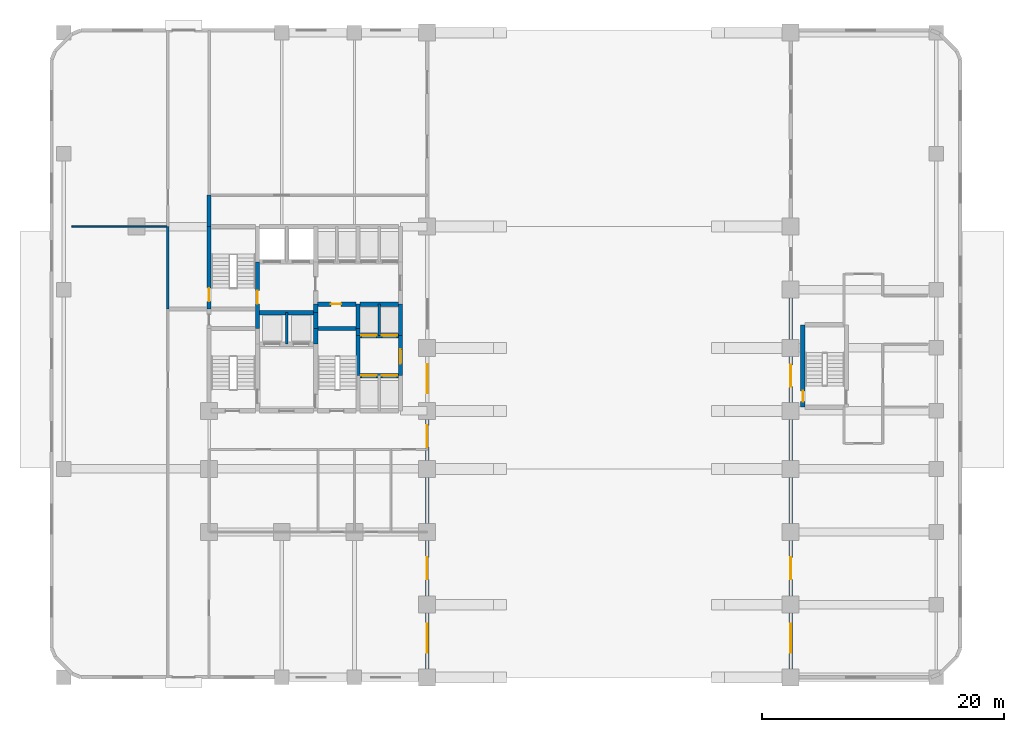
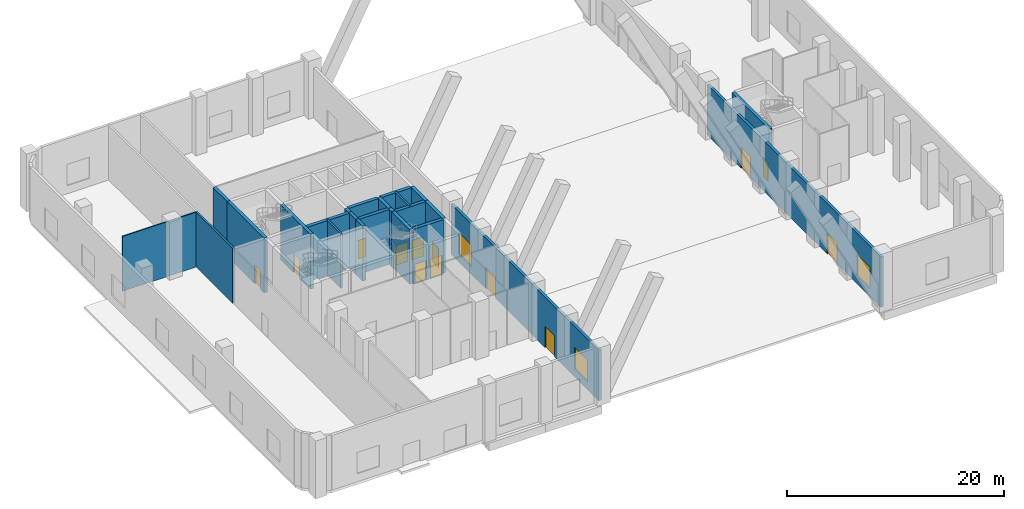
# One storey, part 4 of 10: 24 walls, 13 doors, 3 windows, 16 openings.
"""IFC4 building model written with IfcOpenShell, lengths in metres."""

from ifc_helpers import new_model, si_unit, direction, frame, frame_2d, origin, place, context, subcontext, project, spatial, rectangle, extrude, material, layer, layer_set, type_object, element, fill, save


model = new_model("IFC4")

# Units and contexts
model_context = context("Model", 3, precision=1e-05, world=origin(), true_north=direction((0.0, 1.0)))
body_context = subcontext(model_context, "Body", "Model", "MODEL_VIEW")
ifc_project = project(units=[si_unit("LENGTHUNIT", "METRE"), si_unit("AREAUNIT", "SQUARE_METRE"), si_unit("VOLUMEUNIT", "CUBIC_METRE"), si_unit("PLANEANGLEUNIT", "RADIAN"), si_unit("MASSUNIT", "GRAM", prefix="KILO")], contexts=[model_context])

# Site, building, storey
site_placement = place(None, origin())
site = spatial("IfcSite", under=ifc_project, at=site_placement, CompositionType="ELEMENT")
building_placement = place(site_placement, origin())
building = spatial("IfcBuilding", under=site, at=building_placement, Name="Keshet Zoharim Tower", CompositionType="ELEMENT")
storey_placement = place(building_placement, origin())
storey = spatial("IfcBuildingStorey", under=building, at=storey_placement, Name="L00", CompositionType="ELEMENT", Elevation=0.0)

# Wall, opening, door
ifc_material_1 = material(Name="Concrete C60/75", Category="concrete")
ifc_layer_1 = layer(ifc_material_1, 0.35009765625)
ifc_layer_set_1 = layer_set([ifc_layer_1], Name="Concrete C60/75")
wall_type_1 = type_object("IfcWallType", Name="WL-CORE-350", PredefinedType="SHEAR", material=ifc_layer_set_1)
wall_1_placement = place(storey_placement, frame((15.0, 31.10009765625, 0.0), z_axis=(0.0, 0.0, 1.0), x_axis=(0.0, 1.0, 0.0)))
wall_1 = element("IfcWall", 1, at=wall_1_placement, inside=storey, type_object=wall_type_1, Name="L00 Core Shear Wall 008", PredefinedType="SHEAR", context=body_context, shape_type="SweptSolid", body=[
    extrude(rectangle(XDim=6.7998046875, YDim=0.35009765625, at=frame_2d((3.39990234375, 0.0))), origin(), (0.0, 0.0, 1.0), 6.169921875),
])
opening_1_placement = place(wall_1_placement, frame((0.632080078125, 0.0, 0.0)))
opening_1 = element("IfcOpeningElement", 2, at=opening_1_placement, cuts=wall_1, Name="Opening D-F611", PredefinedType="OPENING", context=body_context, shape_type="SweptSolid", body=[
    extrude(rectangle(XDim=1.10009765625, YDim=2.14990234375, at=frame_2d((0.550048828125, 1.074951171875))), frame((0.0, 0.18505859375, 0.0), z_axis=(0.0, -1.0, 0.0), x_axis=(1.0, 0.0, 0.0)), (0.0, 0.0, 1.0), 0.3701171875),
])
ifc_material_2 = material(Name="Hardwood Timber", Category="wood")
door_type_1 = type_object("IfcDoorType", Name="DR-FD60-110", OperationType="NOTDEFINED", PredefinedType="DOOR", material=ifc_material_2)
door_1_placement = place(opening_1_placement, origin())
door_1 = element("IfcDoor", 3, at=door_1_placement, inside=storey, type_object=door_type_1, Name="Ground Exit Stair ST-02 Discharge Door to Exit Passage", OperationType="SINGLE_SWING_RIGHT", OverallHeight=2.14990234375, OverallWidth=1.10009765625, PredefinedType="DOOR", context=body_context, shape_type="SweptSolid", body=[
    extrude(rectangle(XDim=1.10009765625, YDim=2.14990234375, at=frame_2d((0.550048828125, 1.074951171875))), frame((0.0, 0.02490234375, 0.0), z_axis=(0.0, -1.0, 0.0), x_axis=(1.0, 0.0, 0.0)), (0.0, 0.0, 1.0), 0.050048828125),
])
fill(opening_1, door_1)

# Wall
wall_2_placement = place(storey_placement, frame((15.0, 37.89990234375, 0.0), z_axis=(0.0, 0.0, 1.0), x_axis=(0.0, 1.0, 0.0)))
element("IfcWall", 4, at=wall_2_placement, inside=storey, type_object=wall_type_1, Name="L00 Core Shear Wall 009", PredefinedType="SHEAR", context=body_context, shape_type="SweptSolid", body=[
    extrude(rectangle(XDim=2.60009765625, YDim=0.35009765625, at=frame_2d((1.300048828125, 0.0))), origin(), (0.0, 0.0, 1.0), 6.169921875),
])

# Wall, opening, door
wall_3_placement = place(storey_placement, frame((19.0, 29.5, 0.0), z_axis=(0.0, 0.0, 1.0), x_axis=(0.0, 1.0, 0.0)))
wall_3 = element("IfcWall", 5, at=wall_3_placement, inside=storey, type_object=wall_type_1, Name="L00 Core Shear Wall 013", PredefinedType="SHEAR", context=body_context, shape_type="SweptSolid", body=[
    extrude(rectangle(XDim=5.5, YDim=0.35009765625, at=frame_2d((2.75, 0.0))), origin(), (0.0, 0.0, 1.0), 6.169921875),
])
opening_2_placement = place(wall_3_placement, frame((2.02490234375, 0.0, 0.0)))
opening_2 = element("IfcOpeningElement", 6, at=opening_2_placement, cuts=wall_3, Name="Opening D-F611", PredefinedType="OPENING", context=body_context, shape_type="SweptSolid", body=[
    extrude(rectangle(XDim=1.10009765625, YDim=2.14990234375, at=frame_2d((0.550048828125, 1.074951171875))), frame((0.0, 0.18505859375, 0.0), z_axis=(0.0, -1.0, 0.0), x_axis=(1.0, 0.0, 0.0)), (0.0, 0.0, 1.0), 0.3701171875),
])
door_2_placement = place(opening_2_placement, frame((1.10009765625, 0.0, 0.0), z_axis=(0.0, 0.0, 1.0), x_axis=(-1.0, 0.0, 0.0)))
door_2 = element("IfcDoor", 7, at=door_2_placement, inside=storey, type_object=door_type_1, Name="L00 Exit Stair ST-02 Fire Door", OperationType="SINGLE_SWING_RIGHT", OverallHeight=2.14990234375, OverallWidth=1.10009765625, PredefinedType="DOOR", context=body_context, shape_type="SweptSolid", body=[
    extrude(rectangle(XDim=1.10009765625, YDim=2.14990234375, at=frame_2d((0.550048828125, 1.074951171875))), frame((0.0, 0.02490234375, 0.0), z_axis=(0.0, -1.0, 0.0), x_axis=(1.0, 0.0, 0.0)), (0.0, 0.0, 1.0), 0.050048828125),
])
fill(opening_2, door_2)

# Walls
for number, where, z_axis, x_axis, name in (
    (8, (23.800048828125, 28.199951171875, 0.0), (0.0, 0.0, 1.0), (0.0, 1.0, 0.0), "L00 Core Shear Wall 018"),
    (9, (23.800048828125, 29.5, 0.0), (0.0, 0.0, 1.0), (0.0, 1.0, 0.0), "L00 Core Shear Wall 019"),
):
    element("IfcWall", number, at=place(storey_placement, frame(where, z_axis=z_axis, x_axis=x_axis)), inside=storey, type_object=wall_type_1, Name=name, PredefinedType="SHEAR", context=body_context, shape_type="SweptSolid", body=[
        extrude(rectangle(XDim=1.300048828125, YDim=0.35009765625, at=frame_2d((0.64990234375, 0.0))), origin(), (0.0, 0.0, 1.0), 6.169921875),
    ])
wall_4_placement = place(storey_placement, frame((23.800048828125, 30.800048828125, 0.0), z_axis=(0.0, 0.0, 1.0), x_axis=(0.0, 1.0, 0.0)))
element("IfcWall", 10, at=wall_4_placement, inside=storey, type_object=wall_type_1, Name="L00 Core Shear Wall 020", PredefinedType="SHEAR", context=body_context, shape_type="SweptSolid", body=[
    extrude(rectangle(XDim=0.699951171875, YDim=0.35009765625, at=frame_2d((0.35009765625, 0.0))), origin(), (0.0, 0.0, 1.0), 6.169921875),
])
wall_5_placement = place(storey_placement, frame((27.300048828125, 25.60009765625, 0.0), z_axis=(0.0, 0.0, 1.0), x_axis=(0.0, 1.0, 0.0)))
element("IfcWall", 11, at=wall_5_placement, inside=storey, type_object=wall_type_1, Name="L00 Core Shear Wall 027", PredefinedType="SHEAR", context=body_context, shape_type="SweptSolid", body=[
    extrude(rectangle(XDim=3.2998046875, YDim=0.35009765625, at=frame_2d((1.64990234375, 0.0))), origin(), (0.0, 0.0, 1.0), 6.169921875),
])
wall_6_placement = place(storey_placement, frame((27.300048828125, 28.89990234375, 0.0), z_axis=(0.0, 0.0, 1.0), x_axis=(0.0, 1.0, 0.0)))
element("IfcWall", 12, at=wall_6_placement, inside=storey, type_object=wall_type_1, Name="L00 Core Shear Wall 028", PredefinedType="SHEAR", context=body_context, shape_type="SweptSolid", body=[
    extrude(rectangle(XDim=0.60009765625, YDim=0.35009765625, at=frame_2d((0.300048828125, 0.0))), origin(), (0.0, 0.0, 1.0), 6.169921875),
])
wall_7_placement = place(storey_placement, frame((27.300048828125, 29.5, 0.0), z_axis=(0.0, 0.0, 1.0), x_axis=(0.0, 1.0, 0.0)))
element("IfcWall", 13, at=wall_7_placement, inside=storey, type_object=wall_type_1, Name="L00 Core Shear Wall 029", PredefinedType="SHEAR", context=body_context, shape_type="SweptSolid", body=[
    extrude(rectangle(XDim=2.0, YDim=0.35009765625, at=frame_2d((1.0, 0.0))), origin(), (0.0, 0.0, 1.0), 6.169921875),
])

# Wall, opening, door
wall_8_placement = place(storey_placement, frame((30.800048828125, 25.60009765625, 0.0), z_axis=(0.0, 0.0, 1.0), x_axis=(0.0, 1.0, 0.0)))
wall_8 = element("IfcWall", 14, at=wall_8_placement, inside=storey, type_object=wall_type_1, Name="L00 Core Shear Wall 036", PredefinedType="SHEAR", context=body_context, shape_type="SweptSolid", body=[
    extrude(rectangle(XDim=3.2998046875, YDim=0.35009765625, at=frame_2d((1.64990234375, 0.0))), origin(), (0.0, 0.0, 1.0), 6.169921875),
])
opening_3_placement = place(wall_8_placement, frame((0.97802734375, 0.0, 0.0)))
opening_3 = element("IfcOpeningElement", 15, at=opening_3_placement, cuts=wall_8, Name="Opening D-F612", PredefinedType="OPENING", context=body_context, shape_type="SweptSolid", body=[
    extrude(rectangle(XDim=1.199951171875, YDim=2.199951171875, at=frame_2d((0.60009765625, 1.10009765625))), frame((0.0, 0.18505859375, 0.0), z_axis=(0.0, -1.0, 0.0), x_axis=(1.0, 0.0, 0.0)), (0.0, 0.0, 1.0), 0.3701171875),
])
door_type_2 = type_object("IfcDoorType", Name="DR-FD60-120", OperationType="NOTDEFINED", PredefinedType="DOOR", material=ifc_material_2)
door_3_placement = place(opening_3_placement, frame((1.199951171875, 0.0, 0.0), z_axis=(0.0, 0.0, 1.0), x_axis=(-1.0, 0.0, 0.0)))
door_3 = element("IfcDoor", 16, at=door_3_placement, inside=storey, type_object=door_type_2, Name="L00 East Lift Lobby Fire Door", OperationType="SINGLE_SWING_LEFT", OverallHeight=2.199951171875, OverallWidth=1.199951171875, PredefinedType="DOOR", context=body_context, shape_type="SweptSolid", body=[
    extrude(rectangle(XDim=1.199951171875, YDim=2.199951171875, at=frame_2d((0.60009765625, 1.10009765625))), frame((0.0, 0.02490234375, 0.0), z_axis=(0.0, -1.0, 0.0), x_axis=(1.0, 0.0, 0.0)), (0.0, 0.0, 1.0), 0.050048828125),
])
fill(opening_3, door_3)

# Wall
wall_9_placement = place(storey_placement, frame((30.800048828125, 28.89990234375, 0.0), z_axis=(0.0, 0.0, 1.0), x_axis=(0.0, 1.0, 0.0)))
element("IfcWall", 17, at=wall_9_placement, inside=storey, type_object=wall_type_1, Name="L00 Core Shear Wall 037", PredefinedType="SHEAR", context=body_context, shape_type="SweptSolid", body=[
    extrude(rectangle(XDim=2.60009765625, YDim=0.35009765625, at=frame_2d((1.300048828125, 0.0))), origin(), (0.0, 0.0, 1.0), 6.169921875),
])

# Wall, opening, door
wall_10_placement = place(storey_placement, frame((64.0, 23.0, 0.0), z_axis=(0.0, 0.0, 1.0), x_axis=(0.0, 1.0, 0.0)))
wall_10 = element("IfcWall", 18, at=wall_10_placement, inside=storey, type_object=wall_type_1, Name="L00 Core Shear Wall 040", PredefinedType="SHEAR", context=body_context, shape_type="SweptSolid", body=[
    extrude(rectangle(XDim=6.800048828125, YDim=0.35009765625, at=frame_2d((3.39990234375, 0.0))), origin(), (0.0, 0.0, 1.0), 6.169921875),
])
opening_4_placement = place(wall_10_placement, frame((0.449951171875, 0.0, 0.0)))
opening_4 = element("IfcOpeningElement", 19, at=opening_4_placement, cuts=wall_10, Name="Opening D-F690", PredefinedType="OPENING", context=body_context, shape_type="SweptSolid", body=[
    extrude(rectangle(XDim=0.89990234375, YDim=2.14990234375, at=frame_2d((0.449951171875, 1.074951171875))), frame((0.0, 0.18505859375, 0.0), z_axis=(0.0, -1.0, 0.0), x_axis=(1.0, 0.0, 0.0)), (0.0, 0.0, 1.0), 0.3701171875),
])
door_type_3 = type_object("IfcDoorType", Name="DR-FD60-090", OperationType="NOTDEFINED", PredefinedType="DOOR", material=ifc_material_2)
door_4_placement = place(opening_4_placement, origin())
door_4 = element("IfcDoor", 20, at=door_4_placement, inside=storey, type_object=door_type_3, Name="Ground East Exit Stair ST-04 Exit Door to Arch Concourse", OperationType="SINGLE_SWING_RIGHT", OverallHeight=2.14990234375, OverallWidth=0.89990234375, PredefinedType="DOOR", context=body_context, shape_type="SweptSolid", body=[
    extrude(rectangle(XDim=0.89990234375, YDim=2.14990234375, at=frame_2d((0.449951171875, 1.074951171875))), frame((0.0, 0.02490234375, 0.0), z_axis=(0.0, -1.0, 0.0), x_axis=(1.0, 0.0, 0.0)), (0.0, 0.0, 1.0), 0.050048828125),
])
fill(opening_4, door_4)

# Wall, openings, doors
wall_11_placement = place(storey_placement, frame((27.4599609375, 25.60009765625, 0.0), z_axis=(0.0, 0.0, 1.0), x_axis=(1.0, 0.0, 0.0)))
wall_11 = element("IfcWall", 21, at=wall_11_placement, inside=storey, type_object=wall_type_1, Name="L00 Core Shear Wall 060", PredefinedType="SHEAR", context=body_context, shape_type="SweptSolid", body=[
    extrude(rectangle(XDim=3.179931640625, YDim=0.35009765625, at=frame_2d((1.58984375, 0.0))), origin(), (0.0, 0.0, 1.0), 6.169921875),
])
opening_5_placement = place(wall_11_placement, frame((0.1201171875, 0.0, 0.0)))
opening_5 = element("IfcOpeningElement", 22, at=opening_5_placement, cuts=wall_11, Name="Opening LD-01", PredefinedType="OPENING", context=body_context, shape_type="SweptSolid", body=[
    extrude(rectangle(XDim=1.25, YDim=2.199951171875, at=frame_2d((0.625, 1.10009765625))), frame((0.0, 0.18505859375, 0.0), z_axis=(0.0, -1.0, 0.0), x_axis=(1.0, 0.0, 0.0)), (0.0, 0.0, 1.0), 0.3701171875),
])
opening_6_placement = place(wall_11_placement, frame((1.81005859375, 0.0, 0.0)))
opening_6 = element("IfcOpeningElement", 23, at=opening_6_placement, cuts=wall_11, Name="Opening LD-01", PredefinedType="OPENING", context=body_context, shape_type="SweptSolid", body=[
    extrude(rectangle(XDim=1.25, YDim=2.199951171875, at=frame_2d((0.625, 1.10009765625))), frame((0.0, 0.18505859375, 0.0), z_axis=(0.0, -1.0, 0.0), x_axis=(1.0, 0.0, 0.0)), (0.0, 0.0, 1.0), 0.3701171875),
])
ifc_material_3 = material(Name="Steel S355", Category="steel")
door_type_4 = type_object("IfcDoorType", Name="DR-LD01-125", OperationType="DOUBLE_DOOR_SLIDING", PredefinedType="DOOR", material=ifc_material_3)
door_5_placement = place(opening_5_placement, origin())
door_5 = element("IfcDoor", 24, at=door_5_placement, inside=storey, type_object=door_type_4, Name="L00 Passenger Lift Landing Door LF-07", OperationType="DOUBLE_DOOR_SLIDING", OverallHeight=2.199951171875, OverallWidth=1.25, PredefinedType="DOOR", context=body_context, shape_type="SweptSolid", body=[
    extrude(rectangle(XDim=1.25, YDim=2.199951171875, at=frame_2d((0.625, 1.10009765625))), frame((0.0, 0.02490234375, 0.0), z_axis=(0.0, -1.0, 0.0), x_axis=(1.0, 0.0, 0.0)), (0.0, 0.0, 1.0), 0.050048828125),
])
fill(opening_5, door_5)
door_6_placement = place(opening_6_placement, origin())
door_6 = element("IfcDoor", 25, at=door_6_placement, inside=storey, type_object=door_type_4, Name="L00 Passenger Lift Landing Door LF-08", OperationType="DOUBLE_DOOR_SLIDING", OverallHeight=2.199951171875, OverallWidth=1.25, PredefinedType="DOOR", context=body_context, shape_type="SweptSolid", body=[
    extrude(rectangle(XDim=1.25, YDim=2.199951171875, at=frame_2d((0.625, 1.10009765625))), frame((0.0, 0.02490234375, 0.0), z_axis=(0.0, -1.0, 0.0), x_axis=(1.0, 0.0, 0.0)), (0.0, 0.0, 1.0), 0.050048828125),
])
fill(opening_6, door_6)

wall_12_placement = place(storey_placement, frame((27.4599609375, 28.89990234375, 0.0), z_axis=(0.0, 0.0, 1.0), x_axis=(1.0, 0.0, 0.0)))
wall_12 = element("IfcWall", 26, at=wall_12_placement, inside=storey, type_object=wall_type_1, Name="L00 Core Shear Wall 063", PredefinedType="SHEAR", context=body_context, shape_type="SweptSolid", body=[
    extrude(rectangle(XDim=3.179931640625, YDim=0.35009765625, at=frame_2d((1.58984375, 0.0))), origin(), (0.0, 0.0, 1.0), 6.169921875),
])
opening_7_placement = place(wall_12_placement, frame((0.1201171875, 0.0, 0.0)))
opening_7 = element("IfcOpeningElement", 27, at=opening_7_placement, cuts=wall_12, Name="Opening LD-01", PredefinedType="OPENING", context=body_context, shape_type="SweptSolid", body=[
    extrude(rectangle(XDim=1.25, YDim=2.199951171875, at=frame_2d((0.625, 1.10009765625))), frame((0.0, 0.18505859375, 0.0), z_axis=(0.0, -1.0, 0.0), x_axis=(1.0, 0.0, 0.0)), (0.0, 0.0, 1.0), 0.3701171875),
])
opening_8_placement = place(wall_12_placement, frame((1.81005859375, 0.0, 0.0)))
opening_8 = element("IfcOpeningElement", 28, at=opening_8_placement, cuts=wall_12, Name="Opening LD-01", PredefinedType="OPENING", context=body_context, shape_type="SweptSolid", body=[
    extrude(rectangle(XDim=1.25, YDim=2.199951171875, at=frame_2d((0.625, 1.10009765625))), frame((0.0, 0.18505859375, 0.0), z_axis=(0.0, -1.0, 0.0), x_axis=(1.0, 0.0, 0.0)), (0.0, 0.0, 1.0), 0.3701171875),
])
door_7_placement = place(opening_7_placement, origin())
door_7 = element("IfcDoor", 29, at=door_7_placement, inside=storey, type_object=door_type_4, Name="L00 Passenger Lift Landing Door LF-05", OperationType="DOUBLE_DOOR_SLIDING", OverallHeight=2.199951171875, OverallWidth=1.25, PredefinedType="DOOR", context=body_context, shape_type="SweptSolid", body=[
    extrude(rectangle(XDim=1.25, YDim=2.199951171875, at=frame_2d((0.625, 1.10009765625))), frame((0.0, 0.02490234375, 0.0), z_axis=(0.0, -1.0, 0.0), x_axis=(1.0, 0.0, 0.0)), (0.0, 0.0, 1.0), 0.050048828125),
])
fill(opening_7, door_7)
door_8_placement = place(opening_8_placement, origin())
door_8 = element("IfcDoor", 30, at=door_8_placement, inside=storey, type_object=door_type_4, Name="L00 Passenger Lift Landing Door LF-06", OperationType="DOUBLE_DOOR_SLIDING", OverallHeight=2.199951171875, OverallWidth=1.25, PredefinedType="DOOR", context=body_context, shape_type="SweptSolid", body=[
    extrude(rectangle(XDim=1.25, YDim=2.199951171875, at=frame_2d((0.625, 1.10009765625))), frame((0.0, 0.02490234375, 0.0), z_axis=(0.0, -1.0, 0.0), x_axis=(1.0, 0.0, 0.0)), (0.0, 0.0, 1.0), 0.050048828125),
])
fill(opening_8, door_8)

# Walls
wall_13_placement = place(storey_placement, frame((23.9599609375, 29.5, 0.0), z_axis=(0.0, 0.0, 1.0), x_axis=(1.0, 0.0, 0.0)))
element("IfcWall", 31, at=wall_13_placement, inside=storey, type_object=wall_type_1, Name="L00 Core Shear Wall 065", PredefinedType="SHEAR", context=body_context, shape_type="SweptSolid", body=[
    extrude(rectangle(XDim=3.179931640625, YDim=0.35009765625, at=frame_2d((1.58984375, 0.0))), origin(), (0.0, 0.0, 1.0), 6.169921875),
])
wall_14_placement = place(storey_placement, frame((19.159912109375, 30.800048828125, 0.0), z_axis=(0.0, 0.0, 1.0), x_axis=(1.0, 0.0, 0.0)))
element("IfcWall", 32, at=wall_14_placement, inside=storey, type_object=wall_type_1, Name="L00 Core Shear Wall 067", PredefinedType="SHEAR", context=body_context, shape_type="SweptSolid", body=[
    extrude(rectangle(XDim=4.47998046875, YDim=0.35009765625, at=frame_2d((2.239990234375, 0.0))), origin(), (0.0, 0.0, 1.0), 6.169921875),
])

# Wall, opening, door
wall_15_placement = place(storey_placement, frame((23.9599609375, 31.5, 0.0), z_axis=(0.0, 0.0, 1.0), x_axis=(1.0, 0.0, 0.0)))
wall_15 = element("IfcWall", 33, at=wall_15_placement, inside=storey, type_object=wall_type_1, Name="L00 Core Shear Wall 070", PredefinedType="SHEAR", context=body_context, shape_type="SweptSolid", body=[
    extrude(rectangle(XDim=3.179931640625, YDim=0.35009765625, at=frame_2d((1.58984375, 0.0))), origin(), (0.0, 0.0, 1.0), 6.169921875),
])
opening_9_placement = place(wall_15_placement, frame((1.093994140625, 0.0, 0.0)))
opening_9 = element("IfcOpeningElement", 34, at=opening_9_placement, cuts=wall_15, Name="Opening D-RS85", PredefinedType="OPENING", context=body_context, shape_type="SweptSolid", body=[
    extrude(rectangle(XDim=0.85009765625, YDim=2.10009765625, at=frame_2d((0.425048828125, 1.050048828125))), frame((0.0, 0.18505859375, 0.0), z_axis=(0.0, -1.0, 0.0), x_axis=(1.0, 0.0, 0.0)), (0.0, 0.0, 1.0), 0.3701171875),
])
door_type_5 = type_object("IfcDoorType", Name="DR-RIS-085", OperationType="NOTDEFINED", PredefinedType="DOOR", material=ifc_material_2)
door_9_placement = place(opening_9_placement, origin())
door_9 = element("IfcDoor", 35, at=door_9_placement, inside=storey, type_object=door_type_5, Name="L00 Telecom Riser Access Cupboard Door", OperationType="SINGLE_SWING_RIGHT", OverallHeight=2.10009765625, OverallWidth=0.85009765625, PredefinedType="DOOR", context=body_context, shape_type="SweptSolid", body=[
    extrude(rectangle(XDim=0.85009765625, YDim=2.10009765625, at=frame_2d((0.425048828125, 1.050048828125))), frame((0.0, 0.02490234375, 0.0), z_axis=(0.0, -1.0, 0.0), x_axis=(1.0, 0.0, 0.0)), (0.0, 0.0, 1.0), 0.050048828125),
])
fill(opening_9, door_9)

# Wall
wall_16_placement = place(storey_placement, frame((27.4599609375, 31.5, 0.0), z_axis=(0.0, 0.0, 1.0), x_axis=(1.0, 0.0, 0.0)))
element("IfcWall", 36, at=wall_16_placement, inside=storey, type_object=wall_type_1, Name="L00 Core Shear Wall 071", PredefinedType="SHEAR", context=body_context, shape_type="SweptSolid", body=[
    extrude(rectangle(XDim=3.179931640625, YDim=0.35009765625, at=frame_2d((1.58984375, 0.0))), origin(), (0.0, 0.0, 1.0), 6.169921875),
])

# Wall, openings, doors, window
ifc_material_4 = material(Name="Concrete C50/60 precast", Category="concrete")
ifc_layer_2 = layer(ifc_material_4, 0.280029296875)
ifc_layer_set_2 = layer_set([ifc_layer_2], Name="Concrete C50/60 precast")
wall_type_2 = type_object("IfcWallType", Name="WL-EXT-280", PredefinedType="STANDARD", material=ifc_layer_set_2)
wall_17_placement = place(storey_placement, frame((63.0, 0.699951171875, 0.0), z_axis=(0.0, 0.0, 1.0), x_axis=(0.0, 1.0, 0.0)))
wall_17 = element("IfcWall", 37, at=wall_17_placement, inside=storey, type_object=wall_type_2, Name="L00 Podium Precast Facade Wall 19", PredefinedType="STANDARD", context=body_context, shape_type="SweptSolid", body=[
    extrude(rectangle(XDim=32.0, YDim=0.280029296875, at=frame_2d((16.0, 0.0))), origin(), (0.0, 0.0, 1.0), 5.669921875),
])
opening_10_placement = place(wall_17_placement, frame((8.10009765625, 0.0, 0.0)))
opening_10 = element("IfcOpeningElement", 38, at=opening_10_placement, cuts=wall_17, Name="Opening D-EX18", PredefinedType="OPENING", context=body_context, shape_type="SweptSolid", body=[
    extrude(rectangle(XDim=1.800048828125, YDim=2.39990234375, at=frame_2d((0.89990234375, 1.199951171875))), frame((0.0, 0.14990234375, 0.0), z_axis=(0.0, -1.0, 0.0), x_axis=(1.0, 0.0, 0.0)), (0.0, 0.0, 1.0), 0.300048828125),
])
opening_11_placement = place(wall_17_placement, frame((24.0, 0.0, 0.0)))
opening_11 = element("IfcOpeningElement", 39, at=opening_11_placement, cuts=wall_17, Name="Opening D-EX18", PredefinedType="OPENING", context=body_context, shape_type="SweptSolid", body=[
    extrude(rectangle(XDim=1.800048828125, YDim=2.39990234375, at=frame_2d((0.89990234375, 1.199951171875))), frame((0.0, 0.14990234375, 0.0), z_axis=(0.0, -1.0, 0.0), x_axis=(1.0, 0.0, 0.0)), (0.0, 0.0, 1.0), 0.300048828125),
])
opening_12_placement = place(wall_17_placement, frame((2.037109375, 0.0, 0.89990234375)))
opening_12 = element("IfcOpeningElement", 40, at=opening_12_placement, cuts=wall_17, Name="Opening W-240", PredefinedType="OPENING", context=body_context, shape_type="SweptSolid", body=[
    extrude(rectangle(XDim=2.39990234375, YDim=2.39990234375, at=frame_2d((1.199951171875, 1.199951171875))), frame((0.0, 0.14990234375, 0.0), z_axis=(0.0, -1.0, 0.0), x_axis=(1.0, 0.0, 0.0)), (0.0, 0.0, 1.0), 0.300048828125),
])
ifc_material_5 = material(Name="Aluminium 6063-T6", Category="aluminium")
door_type_6 = type_object("IfcDoorType", Name="DR-EXT-180", OperationType="DOUBLE_DOOR_SINGLE_SWING", PredefinedType="DOOR", material=ifc_material_5)
door_10_placement = place(opening_10_placement, origin())
door_10 = element("IfcDoor", 41, at=door_10_placement, inside=storey, type_object=door_type_6, Name="East Concourse Entrance Door 06", OperationType="DOUBLE_DOOR_SINGLE_SWING", OverallHeight=2.39990234375, OverallWidth=1.800048828125, PredefinedType="DOOR", context=body_context, shape_type="SweptSolid", body=[
    extrude(rectangle(XDim=1.800048828125, YDim=2.39990234375, at=frame_2d((0.89990234375, 1.199951171875))), frame((0.0, 0.02490234375, 0.0), z_axis=(0.0, -1.0, 0.0), x_axis=(1.0, 0.0, 0.0)), (0.0, 0.0, 1.0), 0.050048828125),
])
fill(opening_10, door_10)
door_11_placement = place(opening_11_placement, origin())
door_11 = element("IfcDoor", 42, at=door_11_placement, inside=storey, type_object=door_type_6, Name="East Stair ST-04 Exit Discharge Door", OperationType="DOUBLE_DOOR_SINGLE_SWING", OverallHeight=2.39990234375, OverallWidth=1.800048828125, PredefinedType="DOOR", context=body_context, shape_type="SweptSolid", body=[
    extrude(rectangle(XDim=1.800048828125, YDim=2.39990234375, at=frame_2d((0.89990234375, 1.199951171875))), frame((0.0, 0.02490234375, 0.0), z_axis=(0.0, -1.0, 0.0), x_axis=(1.0, 0.0, 0.0)), (0.0, 0.0, 1.0), 0.050048828125),
])
fill(opening_11, door_11)
ifc_material_6 = material(Name="Insulated Low-E Clear Glass", Category="glass")
window_type = type_object("IfcWindowType", Name="WN-POD-240", PartitioningType="DOUBLE_PANEL_VERTICAL", PredefinedType="WINDOW", material=ifc_material_6)
window_1_placement = place(opening_12_placement, origin())
window_1 = element("IfcWindow", 43, at=window_1_placement, inside=storey, type_object=window_type, Name="Podium Storefront Window 25", OverallHeight=2.39990234375, OverallWidth=2.39990234375, PartitioningType="DOUBLE_PANEL_VERTICAL", PredefinedType="WINDOW", context=body_context, shape_type="SweptSolid", body=[
    extrude(rectangle(XDim=2.39990234375, YDim=2.39990234375, at=frame_2d((1.199951171875, 1.199951171875))), frame((0.0, 0.030029296875, 0.0), z_axis=(0.0, -1.0, 0.0), x_axis=(1.0, 0.0, 0.0)), (0.0, 0.0, 1.0), 0.06005859375),
])
fill(opening_12, window_1)

# Wall, openings, doors, windows
wall_18_placement = place(storey_placement, frame((33.0, 27.89990234375, 0.0), z_axis=(0.0, 0.0, 1.0), x_axis=(0.0, -1.0, 0.0)))
wall_18 = element("IfcWall", 44, at=wall_18_placement, inside=storey, type_object=wall_type_2, Name="L00 Podium Precast Facade Wall 06 Part 2", PredefinedType="STANDARD", context=body_context, shape_type="SweptSolid", body=[
    extrude(rectangle(XDim=27.199951171875, YDim=0.280029296875, at=frame_2d((13.60009765625, 0.0))), origin(), (0.0, 0.0, 1.0), 5.669921875),
])
opening_13_placement = place(wall_18_placement, frame((17.300048828125, 0.0, 0.0)))
opening_13 = element("IfcOpeningElement", 45, at=opening_13_placement, cuts=wall_18, Name="Opening D-EX18", PredefinedType="OPENING", context=body_context, shape_type="SweptSolid", body=[
    extrude(rectangle(XDim=1.800048828125, YDim=2.39990234375, at=frame_2d((0.89990234375, 1.199951171875))), frame((0.0, 0.14990234375, 0.0), z_axis=(0.0, -1.0, 0.0), x_axis=(1.0, 0.0, 0.0)), (0.0, 0.0, 1.0), 0.300048828125),
])
opening_14_placement = place(wall_18_placement, frame((6.39990234375, 0.0, 0.0)))
opening_14 = element("IfcOpeningElement", 46, at=opening_14_placement, cuts=wall_18, Name="Opening D-EX18", PredefinedType="OPENING", context=body_context, shape_type="SweptSolid", body=[
    extrude(rectangle(XDim=1.800048828125, YDim=2.39990234375, at=frame_2d((0.89990234375, 1.199951171875))), frame((0.0, 0.14990234375, 0.0), z_axis=(0.0, -1.0, 0.0), x_axis=(1.0, 0.0, 0.0)), (0.0, 0.0, 1.0), 0.300048828125),
])
opening_15_placement = place(wall_18_placement, frame((1.337890625, 0.0, 0.89990234375)))
opening_15 = element("IfcOpeningElement", 47, at=opening_15_placement, cuts=wall_18, Name="Opening W-240", PredefinedType="OPENING", context=body_context, shape_type="SweptSolid", body=[
    extrude(rectangle(XDim=2.39990234375, YDim=2.39990234375, at=frame_2d((1.199951171875, 1.199951171875))), frame((0.0, 0.14990234375, 0.0), z_axis=(0.0, -1.0, 0.0), x_axis=(1.0, 0.0, 0.0)), (0.0, 0.0, 1.0), 0.300048828125),
])
opening_16_placement = place(wall_18_placement, frame((22.761962890625, 0.0, 0.89990234375)))
opening_16 = element("IfcOpeningElement", 48, at=opening_16_placement, cuts=wall_18, Name="Opening W-240", PredefinedType="OPENING", context=body_context, shape_type="SweptSolid", body=[
    extrude(rectangle(XDim=2.39990234375, YDim=2.39990234375, at=frame_2d((1.199951171875, 1.199951171875))), frame((0.0, 0.14990234375, 0.0), z_axis=(0.0, -1.0, 0.0), x_axis=(1.0, 0.0, 0.0)), (0.0, 0.0, 1.0), 0.300048828125),
])
door_12_placement = place(opening_13_placement, origin())
door_12 = element("IfcDoor", 49, at=door_12_placement, inside=storey, type_object=door_type_6, Name="Arch Concourse Entrance Door 02", OperationType="DOUBLE_DOOR_SINGLE_SWING", OverallHeight=2.39990234375, OverallWidth=1.800048828125, PredefinedType="DOOR", context=body_context, shape_type="SweptSolid", body=[
    extrude(rectangle(XDim=1.800048828125, YDim=2.39990234375, at=frame_2d((0.89990234375, 1.199951171875))), frame((0.0, 0.02490234375, 0.0), z_axis=(0.0, -1.0, 0.0), x_axis=(1.0, 0.0, 0.0)), (0.0, 0.0, 1.0), 0.050048828125),
])
fill(opening_13, door_12)
door_13_placement = place(opening_14_placement, origin())
door_13 = element("IfcDoor", 50, at=door_13_placement, inside=storey, type_object=door_type_6, Name="South Exit Corridor Arch Exit Door", OperationType="DOUBLE_DOOR_SINGLE_SWING", OverallHeight=2.39990234375, OverallWidth=1.800048828125, PredefinedType="DOOR", context=body_context, shape_type="SweptSolid", body=[
    extrude(rectangle(XDim=1.800048828125, YDim=2.39990234375, at=frame_2d((0.89990234375, 1.199951171875))), frame((0.0, 0.02490234375, 0.0), z_axis=(0.0, -1.0, 0.0), x_axis=(1.0, 0.0, 0.0)), (0.0, 0.0, 1.0), 0.050048828125),
])
fill(opening_14, door_13)
window_2_placement = place(opening_15_placement, origin())
window_2 = element("IfcWindow", 51, at=window_2_placement, inside=storey, type_object=window_type, Name="Podium Storefront Window 12", OverallHeight=2.39990234375, OverallWidth=2.39990234375, PartitioningType="DOUBLE_PANEL_VERTICAL", PredefinedType="WINDOW", context=body_context, shape_type="SweptSolid", body=[
    extrude(rectangle(XDim=2.39990234375, YDim=2.39990234375, at=frame_2d((1.199951171875, 1.199951171875))), frame((0.0, 0.030029296875, 0.0), z_axis=(0.0, -1.0, 0.0), x_axis=(1.0, 0.0, 0.0)), (0.0, 0.0, 1.0), 0.06005859375),
])
fill(opening_15, window_2)
window_3_placement = place(opening_16_placement, origin())
window_3 = element("IfcWindow", 52, at=window_3_placement, inside=storey, type_object=window_type, Name="Podium Storefront Window 13", OverallHeight=2.39990234375, OverallWidth=2.39990234375, PartitioningType="DOUBLE_PANEL_VERTICAL", PredefinedType="WINDOW", context=body_context, shape_type="SweptSolid", body=[
    extrude(rectangle(XDim=2.39990234375, YDim=2.39990234375, at=frame_2d((1.199951171875, 1.199951171875))), frame((0.0, 0.030029296875, 0.0), z_axis=(0.0, -1.0, 0.0), x_axis=(1.0, 0.0, 0.0)), (0.0, 0.0, 1.0), 0.06005859375),
])
fill(opening_16, window_3)

# Walls
ifc_material_7 = material(Name="Concrete C50/60", Category="concrete")
ifc_layer_3 = layer(ifc_material_7, 0.199951171875)
ifc_layer_set_3 = layer_set([ifc_layer_3], Name="Concrete C50/60")
wall_type_3 = type_object("IfcWallType", Name="WL-FIRE-200", PredefinedType="STANDARD", material=ifc_layer_set_3)
wall_19_placement = place(storey_placement, frame((11.60009765625, 31.10009765625, 0.0), z_axis=(0.0, 0.0, 1.0), x_axis=(0.0, 1.0, 0.0)))
element("IfcWall", 53, at=wall_19_placement, inside=storey, type_object=wall_type_3, Name="L00 Interior Wall 002", PredefinedType="STANDARD", context=body_context, shape_type="SweptSolid", body=[
    extrude(rectangle(XDim=6.7998046875, YDim=0.199951171875, at=frame_2d((3.39990234375, 0.0))), origin(), (0.0, 0.0, 1.0), 6.169921875),
])
for number, where, z_axis, x_axis, name in (
    (54, (21.39990234375, 28.199951171875, 0.0), (0.0, 0.0, 1.0), (0.0, 1.0, 0.0), "L00 Interior Wall 015"),
    (55, (29.050048828125, 28.89990234375, 0.0), (0.0, 0.0, 1.0), (0.0, 1.0, 0.0), "L00 Interior Wall 032"),
):
    element("IfcWall", number, at=place(storey_placement, frame(where, z_axis=z_axis, x_axis=x_axis)), inside=storey, type_object=wall_type_3, Name=name, PredefinedType="STANDARD", context=body_context, shape_type="SweptSolid", body=[
        extrude(rectangle(XDim=2.60009765625, YDim=0.199951171875, at=frame_2d((1.300048828125, 0.0))), origin(), (0.0, 0.0, 1.0), 6.169921875),
    ])
ifc_material_8 = material(Name="Gypsum Plasterboard", Category="gypsum")
ifc_layer_4 = layer(ifc_material_8, 0.1201171875)
ifc_layer_set_4 = layer_set([ifc_layer_4], Name="Gypsum Plasterboard")
wall_type_4 = type_object("IfcWallType", Name="WL-PART-120", PredefinedType="PARTITIONING", material=ifc_layer_set_4)
wall_20_placement = place(storey_placement, frame((3.68994140625, 37.89990234375, 0.0), z_axis=(0.0, 0.0, 1.0), x_axis=(1.0, 0.0, 0.0)))
element("IfcWall", 56, at=wall_20_placement, inside=storey, type_object=wall_type_4, Name="L00 Interior Wall 075", PredefinedType="PARTITIONING", context=body_context, shape_type="SweptSolid", body=[
    extrude(rectangle(XDim=7.824951171875, YDim=0.1201171875, at=frame_2d((3.91259765625, 0.0))), origin(), (0.0, 0.0, 1.0), 6.169921875),
])

save(model, "model.ifc")
